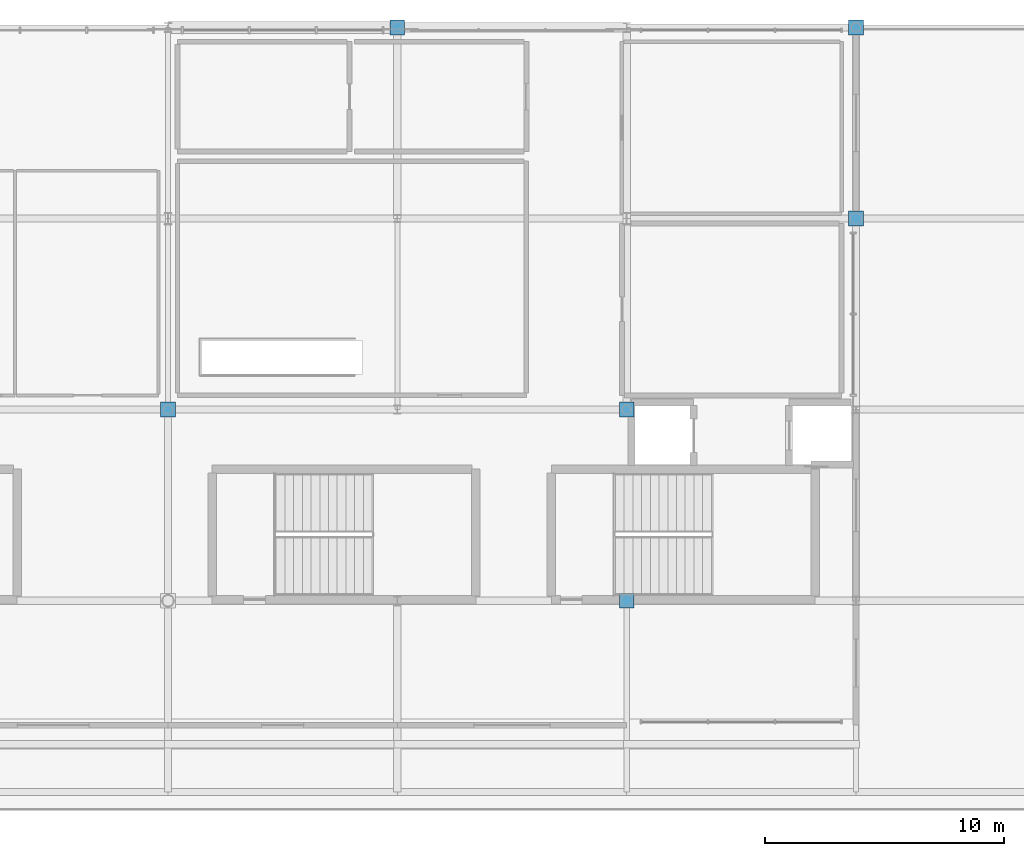
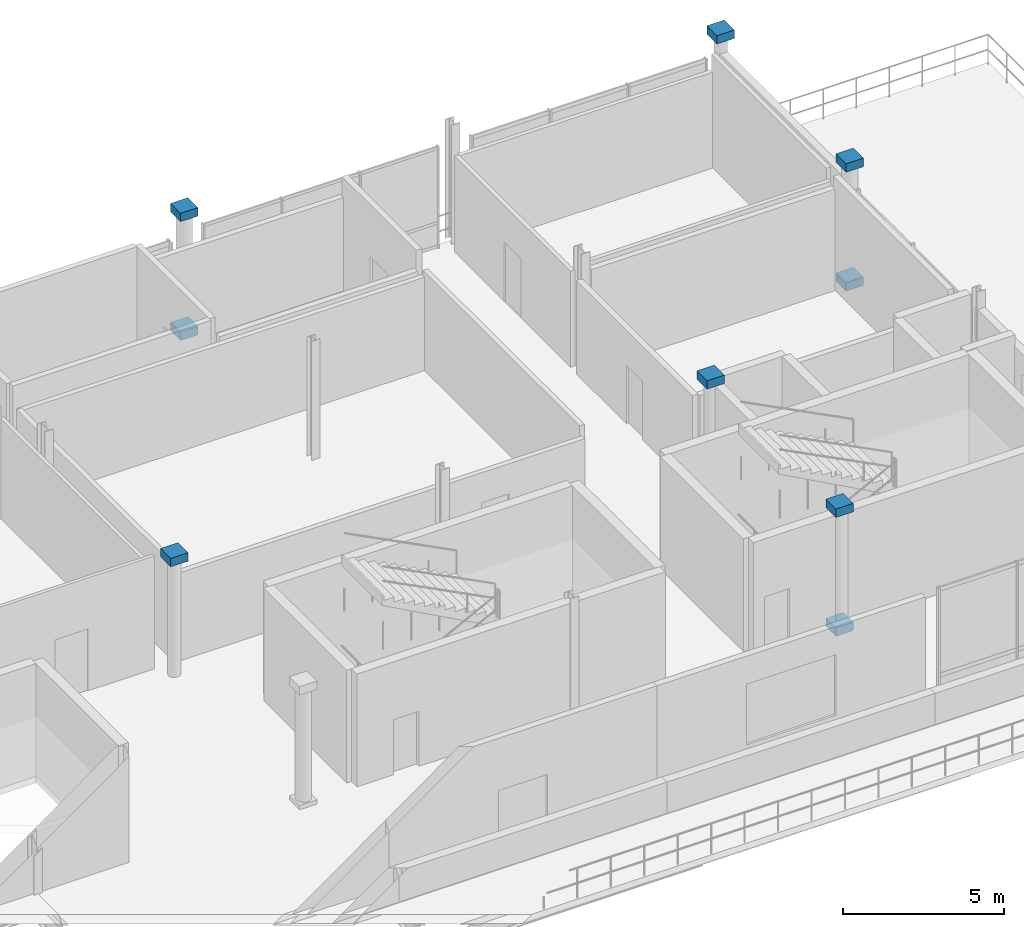
# One storey, part 20 of 26: 9 discrete accessories.
"""IFC4 building model written with IfcOpenShell, lengths in metres."""

from ifc_helpers import new_model, si_unit, direction, frame, origin, origin_2d, place, context, subcontext, project, spatial, rectangle, extrude, material, type_object, element, save


model = new_model("IFC4")

# Units and contexts
model_context = context("Model", 3, precision=1e-05, world=origin(), true_north=direction((0.0, 1.0)))
body_context = subcontext(model_context, "Body", "Model", "MODEL_VIEW")
ifc_project = project(units=[si_unit("LENGTHUNIT", "METRE"), si_unit("AREAUNIT", "SQUARE_METRE"), si_unit("VOLUMEUNIT", "CUBIC_METRE"), si_unit("PLANEANGLEUNIT", "RADIAN"), si_unit("MASSUNIT", "GRAM", prefix="KILO")], contexts=[model_context])

# Site, building, storey
site_placement = place(None, origin())
site = spatial("IfcSite", under=ifc_project, at=site_placement, CompositionType="ELEMENT")
building_placement = place(site_placement, origin())
building = spatial("IfcBuilding", under=site, at=building_placement, Name="Danafjord Basin Convention Centre", CompositionType="ELEMENT")
storey_placement = place(building_placement, frame((0.0, 0.0, 24.89990234375)))
storey = spatial("IfcBuildingStorey", under=building, at=storey_placement, Name="L05", CompositionType="ELEMENT", Elevation=24.89990234375)

# Discrete accessories
ifc_material = material(Name="Steel S355", Category="steel")
discrete_accessory_type = type_object("IfcDiscreteAccessoryType", Name="ACC-SF-HUB", PredefinedType="BRACKET", material=ifc_material)
for number, where, z_axis, x_axis, name in (
    (1, (67.199951171875, 24.0, 4.33984375), (0.0, 0.0, 1.0), (1.0, 0.0, 0.0), "Tubular steel column top cap plate"),
    (2, (76.800048828125, 40.0, -0.16015625), (0.0, 0.0, 1.0), (1.0, 0.0, 0.0), "Tubular steel column transition collar"),
    (3, (76.800048828125, 40.0, 4.33984375), (0.0, 0.0, 1.0), (1.0, 0.0, 0.0), "Tubular steel column top cap plate"),
    (4, (86.39990234375, 16.0, -0.16015625), (0.0, 0.0, 1.0), (1.0, 0.0, 0.0), "Tubular steel column transition collar"),
    (5, (86.39990234375, 16.0, 4.33984375), (0.0, 0.0, 1.0), (1.0, 0.0, 0.0), "Tubular steel column top cap plate"),
    (6, (86.39990234375, 24.0, 4.33984375), (0.0, 0.0, 1.0), (1.0, 0.0, 0.0), "Tubular steel column top cap plate"),
    (7, (96.0, 32.0, -0.16015625), (0.0, 0.0, 1.0), (1.0, 0.0, 0.0), "Tubular steel column transition collar"),
    (8, (96.0, 32.0, 4.33984375), (0.0, 0.0, 1.0), (1.0, 0.0, 0.0), "Tubular steel column top cap plate"),
    (9, (96.0, 40.0, 4.33984375), (0.0, 0.0, 1.0), (1.0, 0.0, 0.0), "Tubular steel column top cap plate"),
):
    element("IfcDiscreteAccessory", number, at=place(storey_placement, frame(where, z_axis=z_axis, x_axis=x_axis)), inside=storey, type_object=discrete_accessory_type, Name=name, PredefinedType="BRACKET", context=body_context, shape_type="SweptSolid", body=[
        extrude(rectangle(XDim=0.6201171875, YDim=0.6201171875, at=origin_2d()), origin(), (0.0, 0.0, 1.0), 0.320068359375),
    ])

save(model, "model.ifc")
